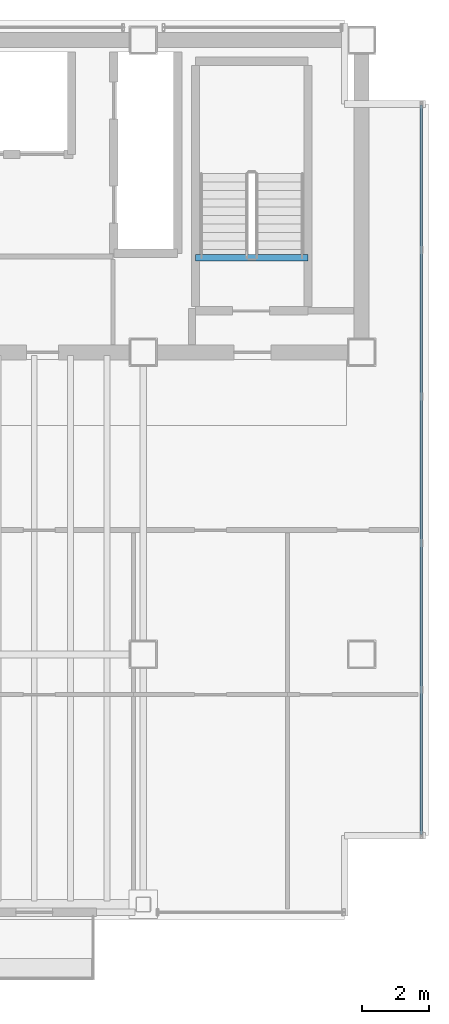
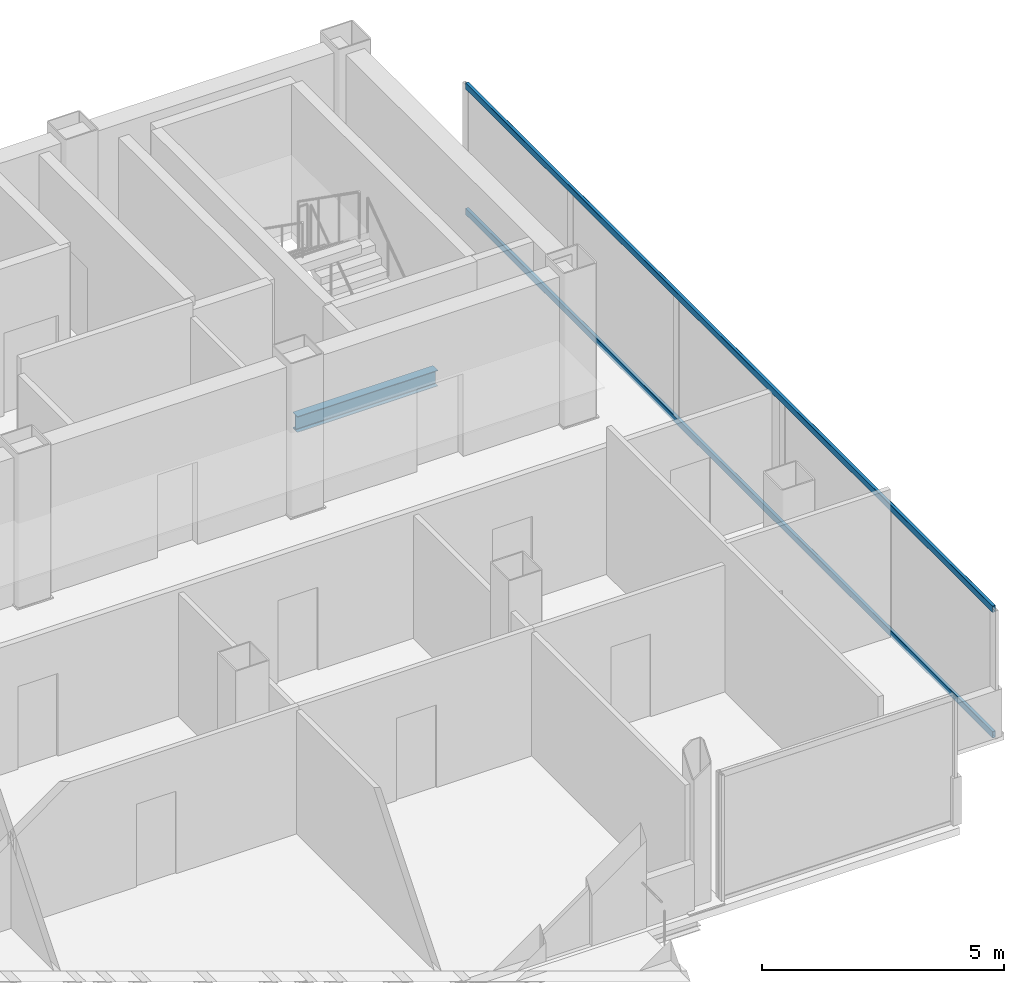
# One storey, part 11 of 17: 2 members, 1 beam, 1 element without a shape of its own.
"""IFC4 building model written with IfcOpenShell, lengths in metres."""

import ifcopenshell
import ifcopenshell.guid

model = None  # the IFC model being written
_history = None  # IfcOwnerHistory: only IFC2X3 demands one
_inside = {}  # id of a spatial element -> (the spatial element, [elements in it])
_under = {}  # id of a project, library or spatial element -> (it, [spatial elements below it])
_declared = {}  # id of a project -> (the project, [libraries it declares])
_typed = {}  # id of a type object -> (the type object, [elements of that type])
_made_of = {}  # id of a material, layer set ... -> (it, [elements and type objects made of it])


def new_model(schema):
    """Start an empty IFC model of exactly this schema.

    Asked for "IFC4X3", IfcOpenShell would pick the latest addendum, in which some entities
    have other attributes; the version numbers below select the first issue.
    IFC2X3 requires an IfcOwnerHistory on every rooted entity: one is made here for all.
    """
    global model, _history
    if schema == "IFC4X3":
        model = ifcopenshell.file(schema_version=(4, 3, 0, 0))
    else:
        model = ifcopenshell.file(schema=schema)
    _inside.clear()
    _under.clear()
    _declared.clear()
    _typed.clear()
    _made_of.clear()
    _history = None
    if model.schema == "IFC2X3":
        org = make("IfcOrganization", Name="unknown")
        user = make(
            "IfcPersonAndOrganization",
            ThePerson=make("IfcPerson", FamilyName="unknown"),
            TheOrganization=org,
        )
        app = make(
            "IfcApplication",
            ApplicationDeveloper=org,
            Version="unknown",
            ApplicationFullName="unknown",
            ApplicationIdentifier="unknown",
        )
        _history = make(
            "IfcOwnerHistory",
            OwningUser=user,
            OwningApplication=app,
            ChangeAction="ADDED",
            CreationDate=0,
        )
    return model


def make(cls, **values):
    """One entity of the class cls with the attributes given. An attribute that is None is left unset."""
    return model.create_entity(
        cls, **{name: value for name, value in values.items() if value is not None}
    )


def rooted(cls, **values):
    """An entity with a GlobalId (a new one), such as an element, a storey or a relation."""
    return make(cls, GlobalId=ifcopenshell.guid.new(), OwnerHistory=_history, **values)


def si_unit(unit_type, name, prefix=None):
    """IfcSIUnit, for example si_unit("LENGTHUNIT", "METRE", prefix="MILLI")."""
    return make("IfcSIUnit", UnitType=unit_type, Prefix=prefix, Name=name)


def assignment(units):
    """IfcUnitAssignment: the units of a project."""
    return None if units is None else make("IfcUnitAssignment", Units=units)


def point(xyz):
    """IfcCartesianPoint."""
    return None if xyz is None else make("IfcCartesianPoint", Coordinates=xyz)


def direction(xyz):
    """IfcDirection."""
    return None if xyz is None else make("IfcDirection", DirectionRatios=xyz)


def frame(location, z_axis=None, x_axis=None):
    """IfcAxis2Placement3D, a coordinate frame: its origin and axes. An axis left out is left unset."""
    return make(
        "IfcAxis2Placement3D",
        Location=point(location),
        Axis=direction(z_axis),
        RefDirection=direction(x_axis),
    )


def frame_2d(location, x_axis=None):
    """IfcAxis2Placement2D, a coordinate frame in the plane: its origin and x axis."""
    return make(
        "IfcAxis2Placement2D", Location=point(location), RefDirection=direction(x_axis)
    )


def origin():
    """The frame at (0, 0, 0) with its axes left unset."""
    return frame((0.0, 0.0, 0.0))


def origin_2d():
    """The frame at (0, 0) in the plane with its x axis left unset."""
    return frame_2d((0.0, 0.0))


def place(relative_to, where):
    """IfcLocalPlacement: puts the frame where relative to a parent placement (None: the world)."""
    return make(
        "IfcLocalPlacement", PlacementRelTo=relative_to, RelativePlacement=where
    )


def context(
    kind, dimensions, precision=None, world=None, true_north=None, identifier=None
):
    """IfcGeometricRepresentationContext, for example the 3D "Model" context."""
    return make(
        "IfcGeometricRepresentationContext",
        ContextIdentifier=identifier,
        ContextType=kind,
        CoordinateSpaceDimension=dimensions,
        Precision=precision,
        WorldCoordinateSystem=world,
        TrueNorth=true_north,
    )


def subcontext(parent, identifier, kind, view, scale=None):
    """IfcGeometricRepresentationSubContext, for example "Body" below "Model"."""
    return make(
        "IfcGeometricRepresentationSubContext",
        ContextIdentifier=identifier,
        ContextType=kind,
        ParentContext=parent,
        TargetScale=scale,
        TargetView=view,
    )


def project(units=None, contexts=None):
    """IfcProject with its units and contexts."""
    return rooted(
        "IfcProject",
        Name="project",
        RepresentationContexts=contexts,
        UnitsInContext=assignment(units),
    )


def spatial(cls, under=None, at=None, **own):
    """A site, building, storey or space (cls), placed at a placement, below another one or the project."""
    s = rooted(cls, ObjectPlacement=at, **own)
    if under is not None:
        _under.setdefault(under.id(), (under, []))[1].append(s)
    return s


def profile(cls, at=None, kind="AREA", **sizes):
    """A parametric profile (cls). Its sizes go by their IFC names, for example OverallWidth=200.0."""
    return make(cls, ProfileType=kind, Position=at, **sizes)


def hollow_rectangle(**sizes):
    """IfcRectangleHollowProfileDef."""
    return profile("IfcRectangleHollowProfileDef", **sizes)


def i_section(**sizes):
    """IfcIShapeProfileDef."""
    return profile("IfcIShapeProfileDef", **sizes)


def extrude(swept, where, along, depth):
    """IfcExtrudedAreaSolid: the profile swept, set in the frame where, extruded along a direction by depth."""
    return make(
        "IfcExtrudedAreaSolid",
        SweptArea=swept,
        Position=where,
        ExtrudedDirection=direction(along),
        Depth=depth,
    )


def shape(context_of_items, identifier, shape_type, items):
    """IfcShapeRepresentation: the items that make up one representation, for example the "Body"."""
    return make(
        "IfcShapeRepresentation",
        ContextOfItems=context_of_items,
        RepresentationIdentifier=identifier,
        RepresentationType=shape_type,
        Items=items,
    )


def material(Name=None, Category=None):
    """IfcMaterial."""
    return make("IfcMaterial", Name=Name, Category=Category)


def material_profile(
    of_material, cross_section, Name=None, Category=None, Priority=None
):
    """IfcMaterialProfile: a cross section and its material."""
    return make(
        "IfcMaterialProfile",
        Name=Name,
        Material=of_material,
        Profile=cross_section,
        Priority=Priority,
        Category=Category,
    )


def profile_set(profiles, Name=None, composite=None):
    """IfcMaterialProfileSet."""
    return make(
        "IfcMaterialProfileSet",
        Name=Name,
        MaterialProfiles=profiles,
        CompositeProfile=composite,
    )


def made_of(thing, what):
    """Note that an element or type object is made of a material, layer set ...; save() writes the relation."""
    if what is not None:
        _made_of.setdefault(what.id(), (what, []))[1].append(thing)
    return thing


def type_object(cls, material=None, **own):
    """A type object (cls), such as IfcWallType, which elements share."""
    return made_of(rooted(cls, **own), material)


def element(
    cls,
    number,
    at=None,
    inside=None,
    cuts=None,
    type_object=None,
    material=None,
    context=None,
    identifier="Body",
    shape_type=None,
    held_by="IfcProductDefinitionShape",
    body=None,
    shapes=None,
    **own,
):
    """One element of the class cls, such as IfcWall. Its Tag is "e" and its number.

    at: its placement. inside: the storey or other place that contains it. cuts: it is an
    opening in that element (IfcRelVoidsElement). A single representation is given by context,
    identifier, shape_type and body (its items); several are given by shapes. held_by: the class
    of the entity that holds the representations. save() writes the other relations.
    """
    e = rooted(cls, Tag="e%d" % number, ObjectPlacement=at, **own)
    if body is not None:
        shapes = [shape(context, identifier, shape_type, body)]
    if shapes is not None:
        e.Representation = make(held_by, Representations=shapes)
    if inside is not None:
        _inside.setdefault(inside.id(), (inside, []))[1].append(e)
    if cuts is not None:
        rooted(
            "IfcRelVoidsElement", RelatingBuildingElement=cuts, RelatedOpeningElement=e
        )
    if type_object is not None:
        _typed.setdefault(type_object.id(), (type_object, []))[1].append(e)
    return made_of(e, material)


def aggregate(whole, parts):
    """IfcRelAggregates: a whole, such as a stair, and the parts it consists of."""
    return rooted("IfcRelAggregates", RelatingObject=whole, RelatedObjects=parts)


def save(model, path):
    """Write the relations noted so far, then the file.

    IfcRelAggregates (storeys below a building ...), IfcRelContainedInSpatialStructure (elements
    in a storey), IfcRelDefinesByType, IfcRelAssociatesMaterial and IfcRelDeclares: one each for
    every whole, place, type object, material and project.
    """
    for whole, parts in _under.values():
        aggregate(whole, parts)
    for where, things in _inside.values():
        rooted(
            "IfcRelContainedInSpatialStructure",
            RelatedElements=things,
            RelatingStructure=where,
        )
    for kind, things in _typed.values():
        rooted("IfcRelDefinesByType", RelatedObjects=things, RelatingType=kind)
    for what, things in _made_of.values():
        rooted("IfcRelAssociatesMaterial", RelatedObjects=things, RelatingMaterial=what)
    for by, libraries in _declared.values():
        rooted("IfcRelDeclares", RelatingContext=by, RelatedDefinitions=libraries)
    model.write(path)


model = new_model("IFC4")

# Units and contexts
model_context = context("Model", 3, precision=1e-05, world=origin(), true_north=direction((0.0, 1.0)))
body_context = subcontext(model_context, "Body", "Model", "MODEL_VIEW")
ifc_project = project(units=[si_unit("LENGTHUNIT", "METRE"), si_unit("AREAUNIT", "SQUARE_METRE"), si_unit("VOLUMEUNIT", "CUBIC_METRE"), si_unit("PLANEANGLEUNIT", "RADIAN"), si_unit("MASSUNIT", "GRAM", prefix="KILO")], contexts=[model_context])

# Site, building, storey
site_placement = place(None, origin())
site = spatial("IfcSite", under=ifc_project, at=site_placement, CompositionType="ELEMENT")
building_placement = place(site_placement, origin())
building = spatial("IfcBuilding", under=site, at=building_placement, Name="Noeulbin Bourse Tower", CompositionType="ELEMENT")
storey_placement = place(building_placement, frame((0.0, 0.0, 250.10009765625)))
storey = spatial("IfcBuildingStorey", under=building, at=storey_placement, Name="L62", CompositionType="ELEMENT", Elevation=250.10009765625)

# Beam
ifc_material_1 = material(Name="Steel S355", Category="steel")
ifc_material_profile_1 = material_profile(ifc_material_1, i_section(OverallWidth=0.199951171875, OverallDepth=0.39990234375, WebThickness=0.008056640625, FlangeThickness=0.012939453125, FilletRadius=0.01611328125, at=origin_2d()), Name="H-400x200x8x13", Category="LoadBearing")
ifc_profile_set_1 = profile_set([ifc_material_profile_1], Name="Steel S355")
beam_type = type_object("IfcBeamType", Name="BM-SEC-400", PredefinedType="BEAM", material=ifc_profile_set_1)
beam_placement = place(storey_placement, frame((39.06005859375, 31.820068359375, -0.2001953125), z_axis=(1.0, 0.0, 0.0), x_axis=(0.0, 1.0, 0.0)))
element("IfcBeam", 1, at=beam_placement, inside=storey, type_object=beam_type, Name="Stair Threshold Trimmer Beam ST2-L62", PredefinedType="BEAM", context=body_context, shape_type="SweptSolid", body=[
    extrude(i_section(OverallWidth=0.199951171875, OverallDepth=0.39990234375, WebThickness=0.008056640625, FlangeThickness=0.012939453125, FilletRadius=0.01611328125, at=origin_2d()), origin(), (0.0, 0.0, 1.0), 3.33984375),
])

# Curtain wall, members
ifc_material_2 = material(Name="High-Selectivity Low-Iron Glazing", Category="glass")
curtain_wall_type = type_object("IfcCurtainWallType", Name="CW-SYS-4", PredefinedType="NOTDEFINED", material=ifc_material_2)
curtain_wall_placement = place(storey_placement, origin())
curtain_wall = element("IfcCurtainWall", 2, at=curtain_wall_placement, inside=storey, type_object=curtain_wall_type, Name="Unitised Curtain Wall CW-L62-E", PredefinedType="NOTDEFINED")
ifc_material_3 = material(Name="Anodised Aluminium 6063-T6", Category="aluminium")
ifc_material_profile_2 = material_profile(ifc_material_3, hollow_rectangle(XDim=0.074951171875, YDim=0.159912109375, WallThickness=0.0048828125, InnerFilletRadius=0.00244140625, OuterFilletRadius=0.0048828125, at=origin_2d()), Name="ALU-TRAN-75x160x5", Category="LoadBearing")
ifc_profile_set_2 = profile_set([ifc_material_profile_2], Name="Anodised Aluminium 6063-T6")
member_type = type_object("IfcMemberType", Name="CW-SYS-4-TRN", PredefinedType="USERDEFINED", material=ifc_profile_set_2)
member_1_placement = place(storey_placement, frame((45.780029296875, 14.6298828125, 0.010009765625), z_axis=(0.0, 1.0, 0.0), x_axis=(-1.0, 0.0, 0.0)))
member_1 = element("IfcMember", 3, at=member_1_placement, type_object=member_type, Name="Curtain Wall Transom CW-L62-E-T00", ObjectType="TRANSOM", PredefinedType="USERDEFINED", context=body_context, shape_type="SweptSolid", body=[
    extrude(hollow_rectangle(XDim=0.074951171875, YDim=0.159912109375, WallThickness=0.0048828125, InnerFilletRadius=0.00244140625, OuterFilletRadius=0.0048828125, at=origin_2d()), origin(), (0.0, 0.0, 1.0), 21.740234375),
])
member_2_placement = place(storey_placement, frame((45.780029296875, 14.6298828125, 3.169921875), z_axis=(0.0, 1.0, 0.0), x_axis=(-1.0, 0.0, 0.0)))
member_2 = element("IfcMember", 4, at=member_2_placement, type_object=member_type, Name="Curtain Wall Transom CW-L62-E-T01", ObjectType="TRANSOM", PredefinedType="USERDEFINED", context=body_context, shape_type="SweptSolid", body=[
    extrude(hollow_rectangle(XDim=0.074951171875, YDim=0.159912109375, WallThickness=0.0048828125, InnerFilletRadius=0.00244140625, OuterFilletRadius=0.0048828125, at=origin_2d()), origin(), (0.0, 0.0, 1.0), 21.740234375),
])
aggregate(curtain_wall, [member_1, member_2])

save(model, "model.ifc")
